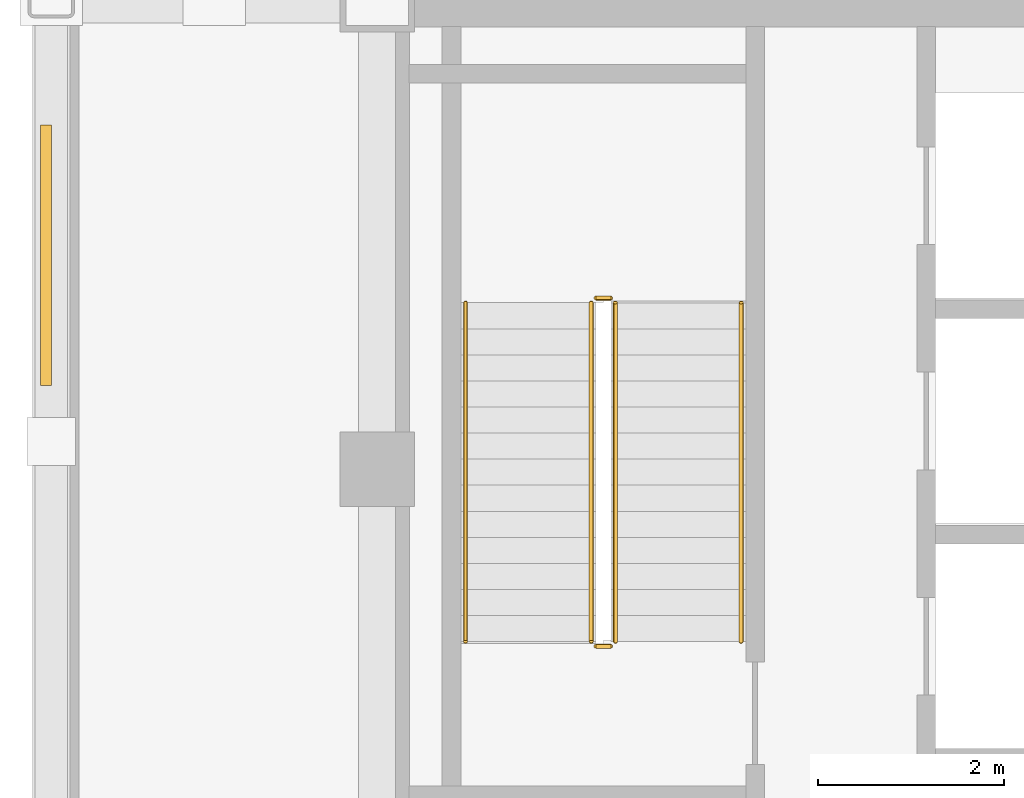
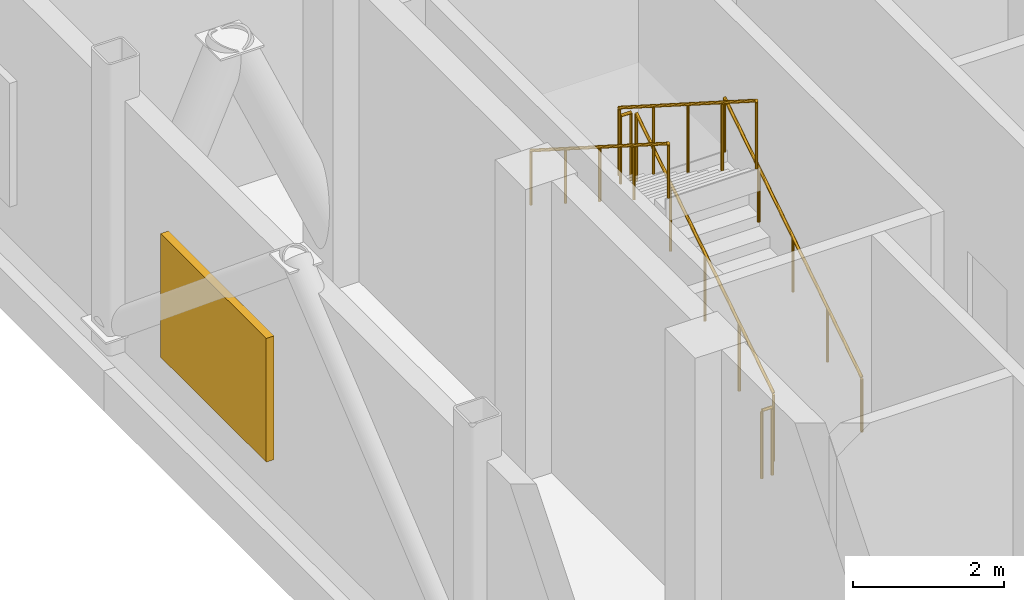
# One storey, part 10 of 12: 6 railings, 1 shading device.
"""IFC4 building model written with IfcOpenShell, lengths in metres."""

from ifc_helpers import new_model, si_unit, direction, frame, origin, origin_2d, place, context, subcontext, project, spatial, rectangle, circle, extrude, source, transform, mapped, material, type_object, type_shapes, element, save


model = new_model("IFC4")

# Units and contexts
model_context = context("Model", 3, precision=1e-05, world=origin(), true_north=direction((0.0, 1.0)))
body_context = subcontext(model_context, "Body", "Model", "MODEL_VIEW")
ifc_project = project(units=[si_unit("LENGTHUNIT", "METRE"), si_unit("AREAUNIT", "SQUARE_METRE"), si_unit("VOLUMEUNIT", "CUBIC_METRE"), si_unit("PLANEANGLEUNIT", "RADIAN"), si_unit("MASSUNIT", "GRAM", prefix="KILO")], contexts=[model_context])

# Site, building, storey
site_placement = place(None, origin())
site = spatial("IfcSite", under=ifc_project, at=site_placement, CompositionType="ELEMENT")
building_placement = place(site_placement, origin())
building = spatial("IfcBuilding", under=site, at=building_placement, Name="Nuvemarco Arch Tower", CompositionType="ELEMENT")
storey_placement = place(building_placement, frame((0.0, 0.0, 252.949951171875)))
storey = spatial("IfcBuildingStorey", under=building, at=storey_placement, Name="L67", CompositionType="ELEMENT", Elevation=252.949951171875)

# Railings
ifc_material_1 = material(Name="Brushed stainless steel handrail", Category="steel")
railing_type_1 = type_object("IfcRailingType", Name="RL-HANDRAIL-900", PredefinedType="HANDRAIL", material=ifc_material_1)
railing_1_placement = place(storey_placement, frame((-13.590087890625, 2.64990234375, 0.1787109375)))
element("IfcRailing", 1, at=railing_1_placement, inside=storey, type_object=railing_type_1, Name="L67 ST-1 stair handrail 1", PredefinedType="HANDRAIL", context=body_context, shape_type="SweptSolid", body=[
    extrude(circle(Radius=0.02392578125, at=origin_2d()), frame((0.0, 0.0, 0.8759765625), z_axis=(0.0, 0.843153495434, 0.537672933239), x_axis=(-1.0, 0.0, 0.0)), (0.0, 0.0, 1.0), 4.3173828125),
    extrude(circle(Radius=0.02099609375, at=origin_2d()), origin(), (0.0, 0.0, 1.0), 0.851806640625),
    extrude(circle(Radius=0.02099609375, at=origin_2d()), frame((0.0, 0.91015625, 0.580322265625)), (0.0, 0.0, 1.0), 0.851806640625),
    extrude(circle(Radius=0.02099609375, at=origin_2d()), frame((0.0, 1.820068359375, 1.16064453125)), (0.0, 0.0, 1.0), 0.851806640625),
    extrude(circle(Radius=0.02099609375, at=origin_2d()), frame((0.0, 2.72998046875, 1.740966796875)), (0.0, 0.0, 1.0), 0.851806640625),
    extrude(circle(Radius=0.02099609375, at=origin_2d()), frame((0.0, 3.64013671875, 2.3212890625)), (0.0, 0.0, 1.0), 0.851806640625),
])
railing_2_placement = place(storey_placement, frame((-16.550048828125, 6.2900390625, 2.6787109375)))
element("IfcRailing", 2, at=railing_2_placement, inside=storey, type_object=railing_type_1, Name="L67 ST-1 stair handrail 2", PredefinedType="HANDRAIL", context=body_context, shape_type="SweptSolid", body=[
    extrude(circle(Radius=0.02392578125, at=origin_2d()), frame((0.0, 0.0, 0.8759765625), z_axis=(0.0, -0.843153495434, 0.537672933239), x_axis=(1.0, 0.0, 0.0)), (0.0, 0.0, 1.0), 4.3173828125),
    extrude(circle(Radius=0.02099609375, at=origin_2d()), origin(), (0.0, 0.0, 1.0), 0.851806640625),
    extrude(circle(Radius=0.02099609375, at=origin_2d()), frame((0.0, -0.91015625, 0.580322265625)), (0.0, 0.0, 1.0), 0.851806640625),
    extrude(circle(Radius=0.02099609375, at=origin_2d()), frame((0.0, -1.820068359375, 1.16064453125)), (0.0, 0.0, 1.0), 0.851806640625),
    extrude(circle(Radius=0.02099609375, at=origin_2d()), frame((0.0, -2.72998046875, 1.740966796875)), (0.0, 0.0, 1.0), 0.851806640625),
    extrude(circle(Radius=0.02099609375, at=origin_2d()), frame((0.0, -3.64013671875, 2.3212890625)), (0.0, 0.0, 1.0), 0.851806640625),
])
ifc_material_2 = material(Name="Painted balustrade steel S355", Category="steel")
railing_type_2 = type_object("IfcRailingType", Name="RL-STAIR-GUARD", PredefinedType="GUARDRAIL", material=ifc_material_2)
railing_3_placement = place(storey_placement, frame((-14.93994140625, 2.64990234375, 0.1787109375)))
element("IfcRailing", 3, at=railing_3_placement, inside=storey, type_object=railing_type_2, Name="L67 ST-1 stair guard 1", PredefinedType="GUARDRAIL", context=body_context, shape_type="SweptSolid", body=[
    extrude(circle(Radius=0.02392578125, at=origin_2d()), frame((0.0, 0.0, 1.09619140625), z_axis=(0.0, 0.843153495434, 0.537672933239), x_axis=(-1.0, 0.0, 0.0)), (0.0, 0.0, 1.0), 4.3173828125),
    extrude(circle(Radius=0.02099609375, at=origin_2d()), origin(), (0.0, 0.0, 1.0), 1.072021484375),
    extrude(circle(Radius=0.02099609375, at=origin_2d()), frame((0.0, 0.91015625, 0.580322265625)), (0.0, 0.0, 1.0), 1.072021484375),
    extrude(circle(Radius=0.02099609375, at=origin_2d()), frame((0.0, 1.820068359375, 1.16064453125)), (0.0, 0.0, 1.0), 1.072021484375),
    extrude(circle(Radius=0.02099609375, at=origin_2d()), frame((0.0, 2.72998046875, 1.740966796875)), (0.0, 0.0, 1.0), 1.072021484375),
    extrude(circle(Radius=0.02099609375, at=origin_2d()), frame((0.0, 3.64013671875, 2.3212890625)), (0.0, 0.0, 1.0), 1.072021484375),
])
railing_4_placement = place(storey_placement, frame((-14.989990234375, 6.340087890625, 2.5)))
element("IfcRailing", 4, at=railing_4_placement, inside=storey, type_object=railing_type_2, Name="L67 ST-1 stair guard 2", PredefinedType="GUARDRAIL", context=body_context, shape_type="SweptSolid", body=[
    extrude(circle(Radius=0.02392578125, at=origin_2d()), frame((0.0, 0.0, 1.09619140625), z_axis=(-1.0, 0.0, 0.0), x_axis=(0.0, -1.0, 0.0)), (0.0, 0.0, 1.0), 0.159912109375),
    extrude(circle(Radius=0.02099609375, at=origin_2d()), origin(), (0.0, 0.0, 1.0), 1.072021484375),
    extrude(circle(Radius=0.02099609375, at=origin_2d()), frame((-0.159912109375, 0.0, 0.0)), (0.0, 0.0, 1.0), 1.072021484375),
])
railing_5_placement = place(storey_placement, frame((-15.199951171875, 6.2900390625, 2.6787109375)))
element("IfcRailing", 5, at=railing_5_placement, inside=storey, type_object=railing_type_2, Name="L67 ST-1 stair guard 3", PredefinedType="GUARDRAIL", context=body_context, shape_type="SweptSolid", body=[
    extrude(circle(Radius=0.02392578125, at=origin_2d()), frame((0.0, 0.0, 1.09619140625), z_axis=(0.0, -0.843153495434, 0.537672933239), x_axis=(1.0, 0.0, 0.0)), (0.0, 0.0, 1.0), 4.3173828125),
    extrude(circle(Radius=0.02099609375, at=origin_2d()), origin(), (0.0, 0.0, 1.0), 1.072021484375),
    extrude(circle(Radius=0.02099609375, at=origin_2d()), frame((0.0, -0.91015625, 0.580322265625)), (0.0, 0.0, 1.0), 1.072021484375),
    extrude(circle(Radius=0.02099609375, at=origin_2d()), frame((0.0, -1.820068359375, 1.16064453125)), (0.0, 0.0, 1.0), 1.072021484375),
    extrude(circle(Radius=0.02099609375, at=origin_2d()), frame((0.0, -2.72998046875, 1.740966796875)), (0.0, 0.0, 1.0), 1.072021484375),
    extrude(circle(Radius=0.02099609375, at=origin_2d()), frame((0.0, -3.64013671875, 2.3212890625)), (0.0, 0.0, 1.0), 1.072021484375),
])
railing_6_placement = place(storey_placement, frame((-14.989990234375, 2.60009765625, 0.0)))
element("IfcRailing", 6, at=railing_6_placement, inside=storey, type_object=railing_type_2, Name="L67 ST-1 stair guard 4", PredefinedType="GUARDRAIL", context=body_context, shape_type="SweptSolid", body=[
    extrude(circle(Radius=0.02392578125, at=origin_2d()), frame((0.0, 0.0, 1.09619140625), z_axis=(-1.0, 0.0, 0.0), x_axis=(0.0, -1.0, 0.0)), (0.0, 0.0, 1.0), 0.159912109375),
    extrude(circle(Radius=0.02099609375, at=origin_2d()), origin(), (0.0, 0.0, 1.0), 1.072021484375),
    extrude(circle(Radius=0.02099609375, at=origin_2d()), frame((-0.159912109375, 0.0, 0.0)), (0.0, 0.0, 1.0), 1.072021484375),
])

# Shading device
ifc_material_3 = material(Name="Anodised aluminium 6063-T6", Category="aluminium")
shading_device_type = type_object("IfcShadingDeviceType", Name="SHD-LOUVRE-PLANT", PredefinedType="JALOUSIE", material=ifc_material_3)
shared_shape = source(origin(), body_context, "Body", "SweptSolid", [
    extrude(rectangle(XDim=2.800048828125, YDim=0.1201171875, at=origin_2d()), origin(), (0.0, 0.0, 1.0), 2.0),
])
type_shapes(shading_device_type, [shared_shape])
shading_device_placement = place(storey_placement, frame((-21.054931640625, 6.801513671875, 0.650146484375), z_axis=(0.0, 0.0, 1.0), x_axis=(0.0, 1.0, 0.0)))
element("IfcShadingDevice", 7, at=shading_device_placement, inside=storey, type_object=shading_device_type, Name="L67 acoustic plant louvre panel 4", PredefinedType="JALOUSIE", context=body_context, shape_type="MappedRepresentation", body=[
    mapped(shared_shape, transform((0.0, 0.0, 0.0), scale=1.0)),
])

save(model, "model.ifc")
